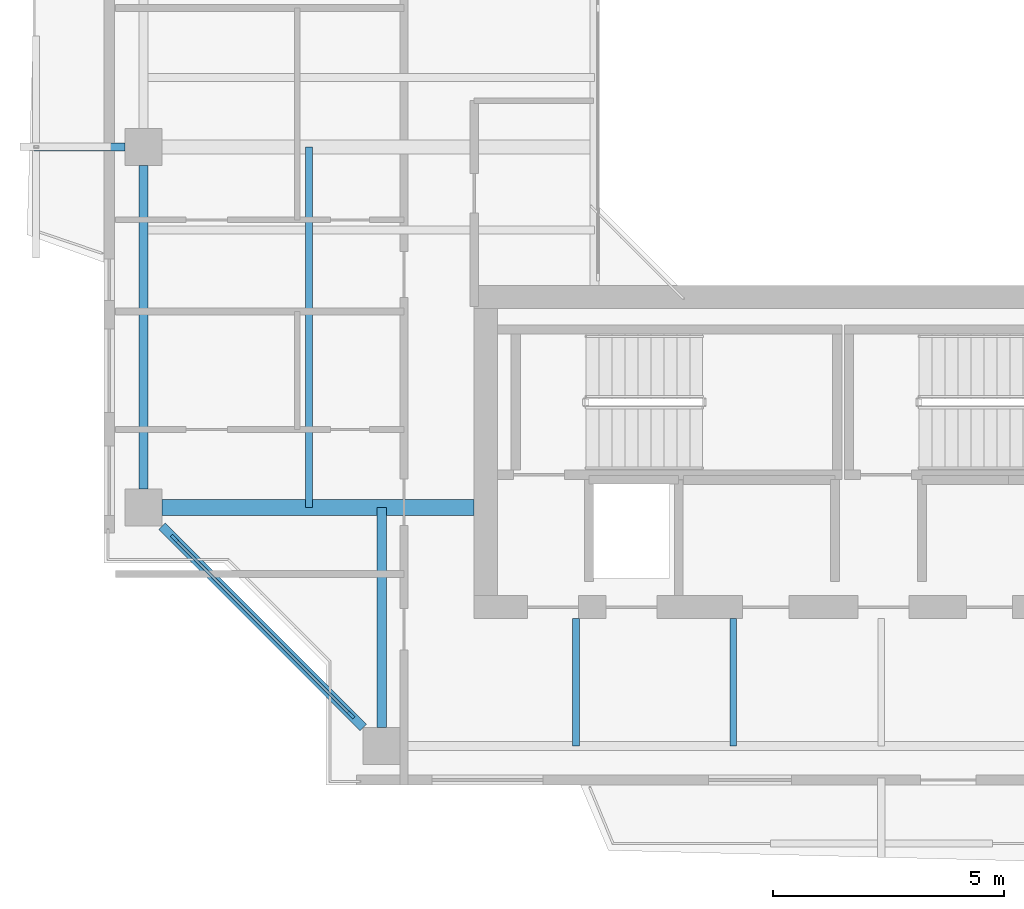
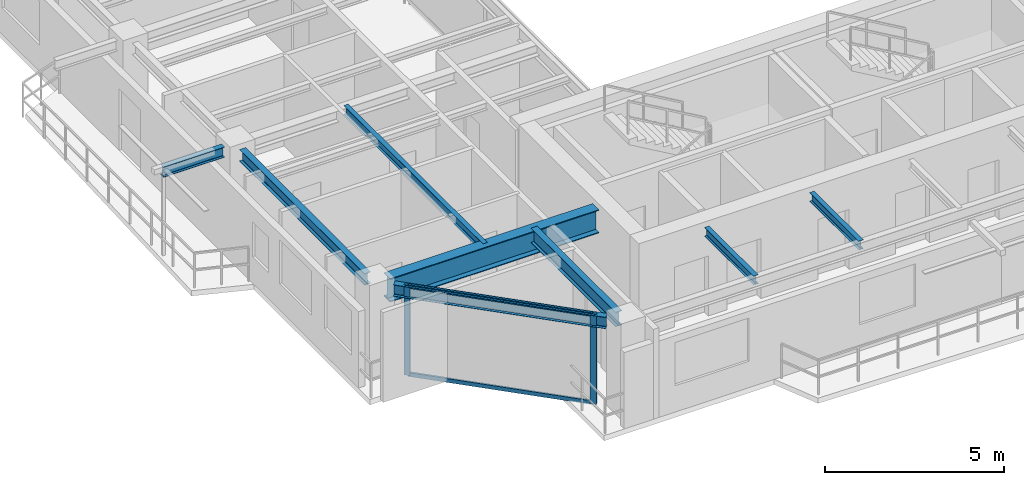
# One storey, part 2 of 16: 8 beams, 4 members, 1 element without a shape of its own.
"""IFC4 building model written with IfcOpenShell, lengths in metres."""

import ifcopenshell
import ifcopenshell.guid

model = None  # the IFC model being written
_history = None  # IfcOwnerHistory: only IFC2X3 demands one
_inside = {}  # id of a spatial element -> (the spatial element, [elements in it])
_under = {}  # id of a project, library or spatial element -> (it, [spatial elements below it])
_declared = {}  # id of a project -> (the project, [libraries it declares])
_typed = {}  # id of a type object -> (the type object, [elements of that type])
_made_of = {}  # id of a material, layer set ... -> (it, [elements and type objects made of it])


def new_model(schema):
    """Start an empty IFC model of exactly this schema.

    Asked for "IFC4X3", IfcOpenShell would pick the latest addendum, in which some entities
    have other attributes; the version numbers below select the first issue.
    IFC2X3 requires an IfcOwnerHistory on every rooted entity: one is made here for all.
    """
    global model, _history
    if schema == "IFC4X3":
        model = ifcopenshell.file(schema_version=(4, 3, 0, 0))
    else:
        model = ifcopenshell.file(schema=schema)
    _inside.clear()
    _under.clear()
    _declared.clear()
    _typed.clear()
    _made_of.clear()
    _history = None
    if model.schema == "IFC2X3":
        org = make("IfcOrganization", Name="unknown")
        user = make(
            "IfcPersonAndOrganization",
            ThePerson=make("IfcPerson", FamilyName="unknown"),
            TheOrganization=org,
        )
        app = make(
            "IfcApplication",
            ApplicationDeveloper=org,
            Version="unknown",
            ApplicationFullName="unknown",
            ApplicationIdentifier="unknown",
        )
        _history = make(
            "IfcOwnerHistory",
            OwningUser=user,
            OwningApplication=app,
            ChangeAction="ADDED",
            CreationDate=0,
        )
    return model


def make(cls, **values):
    """One entity of the class cls with the attributes given. An attribute that is None is left unset."""
    return model.create_entity(
        cls, **{name: value for name, value in values.items() if value is not None}
    )


def rooted(cls, **values):
    """An entity with a GlobalId (a new one), such as an element, a storey or a relation."""
    return make(cls, GlobalId=ifcopenshell.guid.new(), OwnerHistory=_history, **values)


def si_unit(unit_type, name, prefix=None):
    """IfcSIUnit, for example si_unit("LENGTHUNIT", "METRE", prefix="MILLI")."""
    return make("IfcSIUnit", UnitType=unit_type, Prefix=prefix, Name=name)


def assignment(units):
    """IfcUnitAssignment: the units of a project."""
    return None if units is None else make("IfcUnitAssignment", Units=units)


def point(xyz):
    """IfcCartesianPoint."""
    return None if xyz is None else make("IfcCartesianPoint", Coordinates=xyz)


def direction(xyz):
    """IfcDirection."""
    return None if xyz is None else make("IfcDirection", DirectionRatios=xyz)


def frame(location, z_axis=None, x_axis=None):
    """IfcAxis2Placement3D, a coordinate frame: its origin and axes. An axis left out is left unset."""
    return make(
        "IfcAxis2Placement3D",
        Location=point(location),
        Axis=direction(z_axis),
        RefDirection=direction(x_axis),
    )


def frame_2d(location, x_axis=None):
    """IfcAxis2Placement2D, a coordinate frame in the plane: its origin and x axis."""
    return make(
        "IfcAxis2Placement2D", Location=point(location), RefDirection=direction(x_axis)
    )


def origin():
    """The frame at (0, 0, 0) with its axes left unset."""
    return frame((0.0, 0.0, 0.0))


def origin_2d():
    """The frame at (0, 0) in the plane with its x axis left unset."""
    return frame_2d((0.0, 0.0))


def place(relative_to, where):
    """IfcLocalPlacement: puts the frame where relative to a parent placement (None: the world)."""
    return make(
        "IfcLocalPlacement", PlacementRelTo=relative_to, RelativePlacement=where
    )


def context(
    kind, dimensions, precision=None, world=None, true_north=None, identifier=None
):
    """IfcGeometricRepresentationContext, for example the 3D "Model" context."""
    return make(
        "IfcGeometricRepresentationContext",
        ContextIdentifier=identifier,
        ContextType=kind,
        CoordinateSpaceDimension=dimensions,
        Precision=precision,
        WorldCoordinateSystem=world,
        TrueNorth=true_north,
    )


def subcontext(parent, identifier, kind, view, scale=None):
    """IfcGeometricRepresentationSubContext, for example "Body" below "Model"."""
    return make(
        "IfcGeometricRepresentationSubContext",
        ContextIdentifier=identifier,
        ContextType=kind,
        ParentContext=parent,
        TargetScale=scale,
        TargetView=view,
    )


def project(units=None, contexts=None):
    """IfcProject with its units and contexts."""
    return rooted(
        "IfcProject",
        Name="project",
        RepresentationContexts=contexts,
        UnitsInContext=assignment(units),
    )


def spatial(cls, under=None, at=None, **own):
    """A site, building, storey or space (cls), placed at a placement, below another one or the project."""
    s = rooted(cls, ObjectPlacement=at, **own)
    if under is not None:
        _under.setdefault(under.id(), (under, []))[1].append(s)
    return s


def profile(cls, at=None, kind="AREA", **sizes):
    """A parametric profile (cls). Its sizes go by their IFC names, for example OverallWidth=200.0."""
    return make(cls, ProfileType=kind, Position=at, **sizes)


def rectangle(**sizes):
    """IfcRectangleProfileDef."""
    return profile("IfcRectangleProfileDef", **sizes)


def i_section(**sizes):
    """IfcIShapeProfileDef."""
    return profile("IfcIShapeProfileDef", **sizes)


def extrude(swept, where, along, depth):
    """IfcExtrudedAreaSolid: the profile swept, set in the frame where, extruded along a direction by depth."""
    return make(
        "IfcExtrudedAreaSolid",
        SweptArea=swept,
        Position=where,
        ExtrudedDirection=direction(along),
        Depth=depth,
    )


def shape(context_of_items, identifier, shape_type, items):
    """IfcShapeRepresentation: the items that make up one representation, for example the "Body"."""
    return make(
        "IfcShapeRepresentation",
        ContextOfItems=context_of_items,
        RepresentationIdentifier=identifier,
        RepresentationType=shape_type,
        Items=items,
    )


def source(mapping_origin, context_of_items, identifier, shape_type, items):
    """IfcRepresentationMap: a shape defined once, which mapped items show again and again."""
    return make(
        "IfcRepresentationMap",
        MappingOrigin=mapping_origin,
        MappedRepresentation=shape(context_of_items, identifier, shape_type, items),
    )


def transform(
    local_origin,
    x_axis=None,
    y_axis=None,
    z_axis=None,
    scale=None,
    scale2=None,
    scale3=None,
    uniform=True,
):
    """IfcCartesianTransformationOperator3D, or its non-uniform kind. x_axis, y_axis, z_axis: its Axis1, 2, 3."""
    if uniform:
        return make(
            "IfcCartesianTransformationOperator3D",
            Axis1=direction(x_axis),
            Axis2=direction(y_axis),
            LocalOrigin=point(local_origin),
            Scale=scale,
            Axis3=direction(z_axis),
        )
    return make(
        "IfcCartesianTransformationOperator3DnonUniform",
        Axis1=direction(x_axis),
        Axis2=direction(y_axis),
        LocalOrigin=point(local_origin),
        Scale=scale,
        Axis3=direction(z_axis),
        Scale2=scale2,
        Scale3=scale3,
    )


def mapped(mapping_source, mapping_target):
    """IfcMappedItem: shows the shape of a source again, moved by a transform."""
    return make(
        "IfcMappedItem", MappingSource=mapping_source, MappingTarget=mapping_target
    )


def material(Name=None, Category=None):
    """IfcMaterial."""
    return make("IfcMaterial", Name=Name, Category=Category)


def layer(
    of_material, thickness, ventilated=None, Name=None, Category=None, Priority=None
):
    """IfcMaterialLayer: one layer of a wall or slab, of a material (None: an air gap)."""
    return make(
        "IfcMaterialLayer",
        Material=of_material,
        LayerThickness=thickness,
        IsVentilated=ventilated,
        Name=Name,
        Category=Category,
        Priority=Priority,
    )


def layer_set(layers, Name=None):
    """IfcMaterialLayerSet."""
    return make("IfcMaterialLayerSet", MaterialLayers=layers, LayerSetName=Name)


def material_profile(
    of_material, cross_section, Name=None, Category=None, Priority=None
):
    """IfcMaterialProfile: a cross section and its material."""
    return make(
        "IfcMaterialProfile",
        Name=Name,
        Material=of_material,
        Profile=cross_section,
        Priority=Priority,
        Category=Category,
    )


def profile_set(profiles, Name=None, composite=None):
    """IfcMaterialProfileSet."""
    return make(
        "IfcMaterialProfileSet",
        Name=Name,
        MaterialProfiles=profiles,
        CompositeProfile=composite,
    )


def made_of(thing, what):
    """Note that an element or type object is made of a material, layer set ...; save() writes the relation."""
    if what is not None:
        _made_of.setdefault(what.id(), (what, []))[1].append(thing)
    return thing


def type_object(cls, material=None, **own):
    """A type object (cls), such as IfcWallType, which elements share."""
    return made_of(rooted(cls, **own), material)


def element(
    cls,
    number,
    at=None,
    inside=None,
    cuts=None,
    type_object=None,
    material=None,
    context=None,
    identifier="Body",
    shape_type=None,
    held_by="IfcProductDefinitionShape",
    body=None,
    shapes=None,
    **own,
):
    """One element of the class cls, such as IfcWall. Its Tag is "e" and its number.

    at: its placement. inside: the storey or other place that contains it. cuts: it is an
    opening in that element (IfcRelVoidsElement). A single representation is given by context,
    identifier, shape_type and body (its items); several are given by shapes. held_by: the class
    of the entity that holds the representations. save() writes the other relations.
    """
    e = rooted(cls, Tag="e%d" % number, ObjectPlacement=at, **own)
    if body is not None:
        shapes = [shape(context, identifier, shape_type, body)]
    if shapes is not None:
        e.Representation = make(held_by, Representations=shapes)
    if inside is not None:
        _inside.setdefault(inside.id(), (inside, []))[1].append(e)
    if cuts is not None:
        rooted(
            "IfcRelVoidsElement", RelatingBuildingElement=cuts, RelatedOpeningElement=e
        )
    if type_object is not None:
        _typed.setdefault(type_object.id(), (type_object, []))[1].append(e)
    return made_of(e, material)


def aggregate(whole, parts):
    """IfcRelAggregates: a whole, such as a stair, and the parts it consists of."""
    return rooted("IfcRelAggregates", RelatingObject=whole, RelatedObjects=parts)


def save(model, path):
    """Write the relations noted so far, then the file.

    IfcRelAggregates (storeys below a building ...), IfcRelContainedInSpatialStructure (elements
    in a storey), IfcRelDefinesByType, IfcRelAssociatesMaterial and IfcRelDeclares: one each for
    every whole, place, type object, material and project.
    """
    for whole, parts in _under.values():
        aggregate(whole, parts)
    for where, things in _inside.values():
        rooted(
            "IfcRelContainedInSpatialStructure",
            RelatedElements=things,
            RelatingStructure=where,
        )
    for kind, things in _typed.values():
        rooted("IfcRelDefinesByType", RelatedObjects=things, RelatingType=kind)
    for what, things in _made_of.values():
        rooted("IfcRelAssociatesMaterial", RelatedObjects=things, RelatingMaterial=what)
    for by, libraries in _declared.values():
        rooted("IfcRelDeclares", RelatingContext=by, RelatedDefinitions=libraries)
    model.write(path)


model = new_model("IFC4")

# Units and contexts
model_context = context("Model", 3, precision=1e-05, world=origin(), true_north=direction((0.0, 1.0)))
body_context = subcontext(model_context, "Body", "Model", "MODEL_VIEW")
ifc_project = project(units=[si_unit("LENGTHUNIT", "METRE"), si_unit("AREAUNIT", "SQUARE_METRE"), si_unit("VOLUMEUNIT", "CUBIC_METRE"), si_unit("PLANEANGLEUNIT", "RADIAN"), si_unit("MASSUNIT", "GRAM", prefix="KILO"), si_unit("THERMODYNAMICTEMPERATUREUNIT", "KELVIN"), si_unit("POWERUNIT", "WATT")], contexts=[model_context])

# Site, building, storey
site_placement = place(None, origin())
site = spatial("IfcSite", under=ifc_project, at=site_placement, CompositionType="ELEMENT")
building_placement = place(site_placement, origin())
building = spatial("IfcBuilding", under=site, at=building_placement, Name="Qiaomeng Ring Towers", CompositionType="ELEMENT")
storey_placement = place(building_placement, frame((0.0, 0.0, 210.0)))
storey = spatial("IfcBuildingStorey", under=building, at=storey_placement, Name="L61", CompositionType="ELEMENT", Elevation=210.0)

# Beams
ifc_material_1 = material(Name="Steel Q355B", Category="steel")
ifc_material_profile_1 = material_profile(ifc_material_1, i_section(OverallWidth=0.198974609375, OverallDepth=0.39599609375, WebThickness=0.007080078125, FlangeThickness=0.010986328125, FilletRadius=0.01611328125, at=origin_2d()), Name="HN 396x199x7x11")
ifc_profile_set_1 = profile_set([ifc_material_profile_1], Name="Steel Q355B")
beam_type_1 = type_object("IfcBeamType", Name="STR-BM-HN396", PredefinedType="SPANDREL", material=ifc_profile_set_1)
shared_shape_1 = source(origin(), body_context, "Body", "SweptSolid", [
    extrude(i_section(OverallWidth=0.198974609375, OverallDepth=0.39599609375, WebThickness=0.007080078125, FlangeThickness=0.010986328125, FilletRadius=0.01611328125, at=origin_2d()), origin(), (0.0, 0.0, 1.0), 6.154052734375),
])
beam_1_placement = place(storey_placement, frame((3.44921875, 11.80078125, 2.8720703125), z_axis=(0.707106781187, -0.707106781187, 0.0), x_axis=(0.707106781187, 0.707106781187, 0.0)))
element("IfcBeam", 1, at=beam_1_placement, inside=storey, type_object=beam_type_1, Name="L61 beam STR-SP-L61-T1-W1-S1", PredefinedType="SPANDREL", context=body_context, shape_type="MappedRepresentation", body=[
    mapped(shared_shape_1, transform((0.0, 0.0, 0.0), x_axis=(1.0, 0.0, 0.0), y_axis=(0.0, 1.0, 0.0), z_axis=(0.0, 0.0, 1.0), scale=1.0)),
])
shared_shape_2 = source(origin(), body_context, "Body", "SweptSolid", [
    extrude(i_section(OverallWidth=0.198974609375, OverallDepth=0.39599609375, WebThickness=0.007080078125, FlangeThickness=0.010986328125, FilletRadius=0.01611328125, at=origin_2d()), origin(), (0.0, 0.0, 1.0), 7.001953125),
])
beam_2_placement = place(storey_placement, frame((3.050048828125, 19.60107421875, 2.8720703125), z_axis=(0.0, -1.0, 0.0), x_axis=(1.0, 0.0, 0.0)))
element("IfcBeam", 2, at=beam_2_placement, inside=storey, type_object=beam_type_1, Name="L61 beam STR-SP-L61-T1-W2-W1", PredefinedType="SPANDREL", context=body_context, shape_type="MappedRepresentation", body=[
    mapped(shared_shape_2, transform((0.0, 0.0, 0.0), x_axis=(1.0, 0.0, 0.0), y_axis=(0.0, 1.0, 0.0), z_axis=(0.0, 0.0, 1.0), scale=1.0)),
])
ifc_material_2 = material(Name="Steel Q390GJC", Category="steel")
ifc_material_profile_2 = material_profile(ifc_material_2, i_section(OverallWidth=0.35009765625, OverallDepth=0.800048828125, WebThickness=0.01611328125, FlangeThickness=0.028076171875, at=origin_2d()), Name="WH 800x350x16x28")
ifc_profile_set_2 = profile_set([ifc_material_profile_2], Name="Steel Q390GJC")
beam_type_2 = type_object("IfcBeamType", Name="STR-BM-WH800", PredefinedType="BEAM", material=ifc_profile_set_2)
shared_shape_3 = source(origin(), body_context, "Body", "SweptSolid", [
    extrude(i_section(OverallWidth=0.35009765625, OverallDepth=0.800048828125, WebThickness=0.01611328125, FlangeThickness=0.028076171875, at=origin_2d()), origin(), (0.0, 0.0, 1.0), 6.7509765625),
])
beam_3_placement = place(storey_placement, frame((3.448974609375, 12.199951171875, 2.669921875), z_axis=(1.0, 0.0, 0.0), x_axis=(0.0, 1.0, 0.0)))
element("IfcBeam", 3, at=beam_3_placement, inside=storey, type_object=beam_type_2, Name="L61 beam STR-BM-L61-T1-RAD-W1", PredefinedType="BEAM", context=body_context, shape_type="MappedRepresentation", body=[
    mapped(shared_shape_3, transform((0.0, 0.0, 0.0), x_axis=(1.0, 0.0, 0.0), y_axis=(0.0, 1.0, 0.0), z_axis=(0.0, 0.0, 1.0), scale=1.0)),
])
ifc_material_profile_3 = material_profile(ifc_material_1, i_section(OverallWidth=0.14990234375, OverallDepth=0.300048828125, WebThickness=0.006591796875, FlangeThickness=0.009033203125, FilletRadius=0.012939453125, at=origin_2d()), Name="HN 300x150x6.5x9")
ifc_profile_set_3 = profile_set([ifc_material_profile_3], Name="Steel Q355B")
beam_type_3 = type_object("IfcBeamType", Name="STR-BM-HN300", PredefinedType="JOIST", material=ifc_profile_set_3)
shared_shape_4 = source(origin(), body_context, "Body", "SweptSolid", [
    extrude(i_section(OverallWidth=0.14990234375, OverallDepth=0.300048828125, WebThickness=0.006591796875, FlangeThickness=0.009033203125, FilletRadius=0.012939453125, at=origin_2d()), origin(), (0.0, 0.0, 1.0), 2.75),
])
for number, where, z_axis, x_axis, name in (
    (4, (12.39990234375, 7.050048828125, 2.919921875), (0.0, 1.0, 0.0), (-1.0, 0.0, 0.0), "L61 beam STR-JST-L61-T1S-1"),
    (5, (15.800048828125, 7.050048828125, 2.919921875), (0.0, 1.0, 0.0), (-1.0, 0.0, 0.0), "L61 beam STR-JST-L61-T1S-2"),
):
    element("IfcBeam", number, at=place(storey_placement, frame(where, z_axis=z_axis, x_axis=x_axis)), inside=storey, type_object=beam_type_3, Name=name, PredefinedType="JOIST", context=body_context, shape_type="MappedRepresentation", body=[
        mapped(shared_shape_4, transform((0.0, 0.0, 0.0), x_axis=(1.0, 0.0, 0.0), y_axis=(0.0, 1.0, 0.0), z_axis=(0.0, 0.0, 1.0), scale=1.0)),
    ])
shared_shape_5 = source(origin(), body_context, "Body", "SweptSolid", [
    extrude(i_section(OverallWidth=0.14990234375, OverallDepth=0.300048828125, WebThickness=0.006591796875, FlangeThickness=0.009033203125, FilletRadius=0.012939453125, at=origin_2d()), origin(), (0.0, 0.0, 1.0), 7.800048828125),
])
beam_4_placement = place(storey_placement, frame((6.625, 12.199951171875, 2.919921875), z_axis=(0.0, 1.0, 0.0), x_axis=(-1.0, 0.0, 0.0)))
element("IfcBeam", 6, at=beam_4_placement, inside=storey, type_object=beam_type_3, Name="L61 beam STR-JST-L61-T1C-WS", PredefinedType="JOIST", context=body_context, shape_type="MappedRepresentation", body=[
    mapped(shared_shape_5, transform((0.0, 0.0, 0.0), x_axis=(1.0, 0.0, 0.0), y_axis=(0.0, 1.0, 0.0), z_axis=(0.0, 0.0, 1.0), scale=1.0)),
])
ifc_material_profile_4 = material_profile(ifc_material_1, i_section(OverallWidth=0.175048828125, OverallDepth=0.35009765625, WebThickness=0.007080078125, FlangeThickness=0.010986328125, FilletRadius=0.013916015625, at=origin_2d()), Name="HN 350x175x7x11")
ifc_profile_set_4 = profile_set([ifc_material_profile_4], Name="Steel Q355B")
beam_type_4 = type_object("IfcBeamType", Name="STR-BM-HN350", PredefinedType="JOIST", material=ifc_profile_set_4)
shared_shape_6 = source(origin(), body_context, "Body", "SweptSolid", [
    extrude(i_section(OverallWidth=0.175048828125, OverallDepth=0.35009765625, WebThickness=0.007080078125, FlangeThickness=0.010986328125, FilletRadius=0.013916015625, at=origin_2d()), origin(), (0.0, 0.0, 1.0), 1.970947265625),
])
beam_5_placement = place(storey_placement, frame((0.679931640625, 20.0, 2.89501953125), z_axis=(1.0, 0.0, 0.0), x_axis=(0.0, 1.0, 0.0)))
element("IfcBeam", 7, at=beam_5_placement, inside=storey, type_object=beam_type_4, Name="L61 beam STR-BALBM-L61-W2", PredefinedType="JOIST", context=body_context, shape_type="MappedRepresentation", body=[
    mapped(shared_shape_6, transform((0.0, 0.0, 0.0), x_axis=(1.0, 0.0, 0.0), y_axis=(0.0, 1.0, 0.0), z_axis=(0.0, 0.0, 1.0), scale=1.0)),
])
ifc_material_profile_5 = material_profile(ifc_material_1, i_section(OverallWidth=0.198974609375, OverallDepth=0.49609375, WebThickness=0.009033203125, FlangeThickness=0.013916015625, FilletRadius=0.01806640625, at=origin_2d()), Name="HN 496x199x9x14")
ifc_profile_set_5 = profile_set([ifc_material_profile_5], Name="Steel Q355B")
beam_type_5 = type_object("IfcBeamType", Name="STR-BM-HN496", PredefinedType="BEAM", material=ifc_profile_set_5)
shared_shape_7 = source(origin(), body_context, "Body", "SweptSolid", [
    extrude(i_section(OverallWidth=0.198974609375, OverallDepth=0.49609375, WebThickness=0.009033203125, FlangeThickness=0.013916015625, FilletRadius=0.01806640625, at=origin_2d()), origin(), (0.0, 0.0, 1.0), 4.7509765625),
])
beam_6_placement = place(storey_placement, frame((8.199951171875, 7.448974609375, 2.822021484375), z_axis=(0.0, 1.0, 0.0), x_axis=(-1.0, 0.0, 0.0)))
element("IfcBeam", 8, at=beam_6_placement, inside=storey, type_object=beam_type_5, Name="L61 beam STR-BM-L61-T1-RAD-S1", PredefinedType="BEAM", context=body_context, shape_type="MappedRepresentation", body=[
    mapped(shared_shape_7, transform((0.0, 0.0, 0.0), x_axis=(1.0, 0.0, 0.0), y_axis=(0.0, 1.0, 0.0), z_axis=(0.0, 0.0, 1.0), scale=1.0)),
])

# Curtain wall, members
ifc_material_3 = material(Name="Fluorocarbon dark-grey aluminium", Category="aluminium")
ifc_layer = layer(ifc_material_3, 0.14990234375, Name="Fluorocarbon dark-grey aluminium")
ifc_layer_set = layer_set([ifc_layer], Name="Fluorocarbon dark-grey aluminium")
curtain_wall_type = type_object("IfcCurtainWallType", Name="ARC-CW-3", PredefinedType="NOTDEFINED", material=ifc_layer_set)
curtain_wall_placement = place(storey_placement, origin())
curtain_wall = element("IfcCurtainWall", 9, at=curtain_wall_placement, inside=storey, type_object=curtain_wall_type, Name="L61 Curtain Wall CW3", PredefinedType="NOTDEFINED")
ifc_material_profile_6 = material_profile(ifc_material_3, rectangle(XDim=0.070068359375, YDim=0.179931640625, at=origin_2d()), Name="ALU MULL 70x180")
ifc_profile_set_6 = profile_set([ifc_material_profile_6], Name="Fluorocarbon dark-grey aluminium")
member_type_1 = type_object("IfcMemberType", Name="ARC-CWM-160", PredefinedType="MULLION", material=ifc_profile_set_6)
shared_shape_8 = source(origin(), body_context, "Body", "SweptSolid", [
    extrude(rectangle(XDim=0.070068359375, YDim=0.179931640625, at=origin_2d()), origin(), (0.0, 0.0, 1.0), 3.070068359375),
])
member_1_placement = place(storey_placement, frame((3.71484375, 11.53515625, 0.0), z_axis=(0.0, 0.0, 1.0), x_axis=(0.707106781187, 0.707106781187, 0.0)))
member_1 = element("IfcMember", 10, at=member_1_placement, type_object=member_type_1, Name="CW3 mullion 1", PredefinedType="MULLION", context=body_context, shape_type="MappedRepresentation", body=[
    mapped(shared_shape_8, transform((0.0, 0.0, 0.0), x_axis=(1.0, 0.0, 0.0), y_axis=(0.0, 1.0, 0.0), z_axis=(0.0, 0.0, 1.0), scale=1.0)),
])
member_2_placement = place(storey_placement, frame((7.53515625, 7.71484375, 0.0), z_axis=(0.0, 0.0, 1.0), x_axis=(0.707106781187, 0.707106781187, 0.0)))
member_2 = element("IfcMember", 11, at=member_2_placement, type_object=member_type_1, Name="CW3 mullion 2", PredefinedType="MULLION", context=body_context, shape_type="MappedRepresentation", body=[
    mapped(shared_shape_8, transform((0.0, 0.0, 0.0), x_axis=(1.0, 0.0, 0.0), y_axis=(0.0, 1.0, 0.0), z_axis=(0.0, 0.0, 1.0), scale=1.0)),
])
ifc_material_profile_7 = material_profile(ifc_material_3, rectangle(XDim=0.06494140625, YDim=0.1298828125, at=origin_2d()), Name="ALU TRAN 65x130")
ifc_profile_set_7 = profile_set([ifc_material_profile_7], Name="Fluorocarbon dark-grey aluminium")
member_type_2 = type_object("IfcMemberType", Name="ARC-CWT-120", PredefinedType="USERDEFINED", material=ifc_profile_set_7)
shared_shape_9 = source(origin(), body_context, "Body", "SweptSolid", [
    extrude(rectangle(XDim=0.06494140625, YDim=0.1298828125, at=origin_2d()), origin(), (0.0, 0.0, 1.0), 5.3330078125),
])
member_3_placement = place(storey_placement, frame((3.739501953125, 11.510498046875, 0.032470703125), z_axis=(0.707106781187, -0.707106781187, 0.0), x_axis=(0.707106781187, 0.707106781187, 0.0)))
member_3 = element("IfcMember", 12, at=member_3_placement, type_object=member_type_2, Name="CW3 transom 1.1", ObjectType="TRANSOM", PredefinedType="USERDEFINED", context=body_context, shape_type="MappedRepresentation", body=[
    mapped(shared_shape_9, transform((0.0, 0.0, 0.0), x_axis=(1.0, 0.0, 0.0), y_axis=(0.0, 1.0, 0.0), z_axis=(0.0, 0.0, 1.0), scale=1.0)),
])
member_4_placement = place(storey_placement, frame((3.739501953125, 11.510498046875, 3.03759765625), z_axis=(0.707106781187, -0.707106781187, 0.0), x_axis=(0.707106781187, 0.707106781187, 0.0)))
member_4 = element("IfcMember", 13, at=member_4_placement, type_object=member_type_2, Name="CW3 transom 1.2", ObjectType="TRANSOM", PredefinedType="USERDEFINED", context=body_context, shape_type="MappedRepresentation", body=[
    mapped(shared_shape_9, transform((0.0, 0.0, 0.0), x_axis=(1.0, 0.0, 0.0), y_axis=(0.0, 1.0, 0.0), z_axis=(0.0, 0.0, 1.0), scale=1.0)),
])
aggregate(curtain_wall, [member_1, member_2, member_3, member_4])

save(model, "model.ifc")
